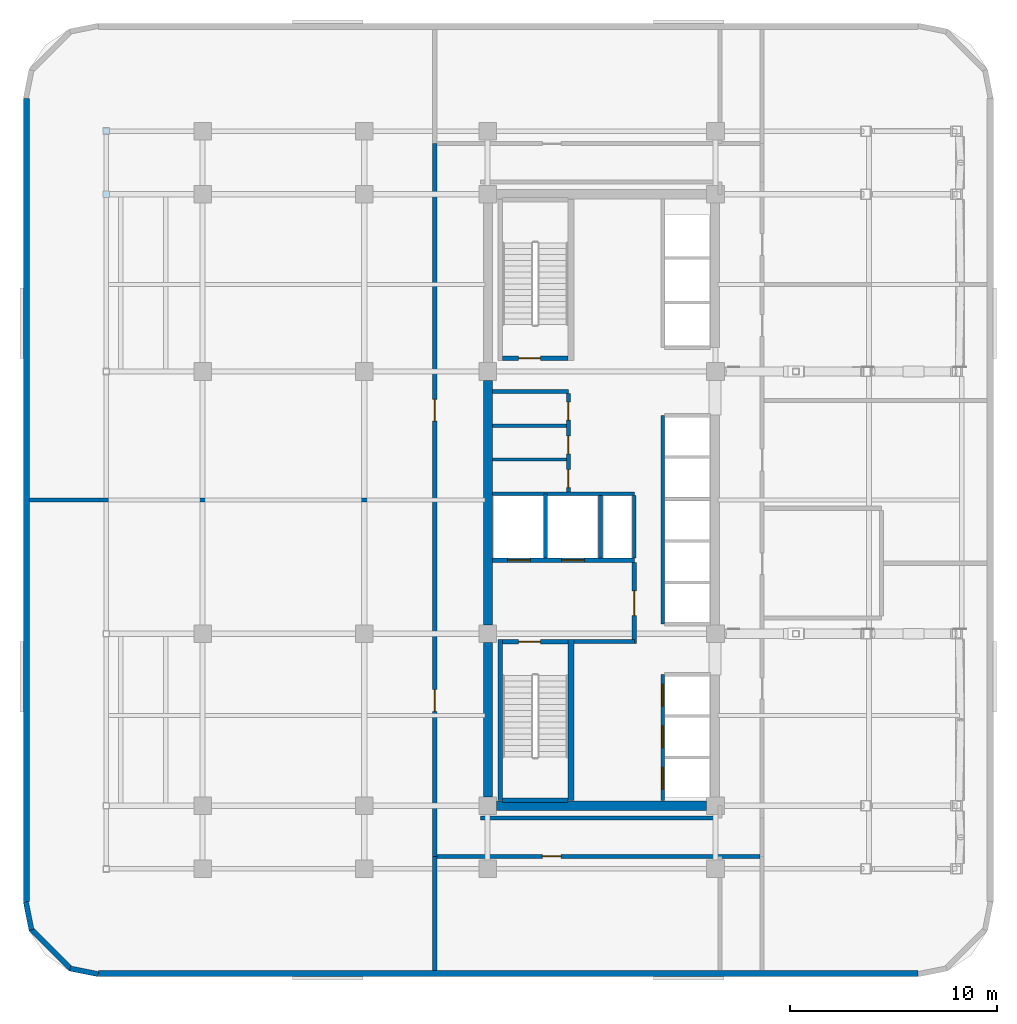
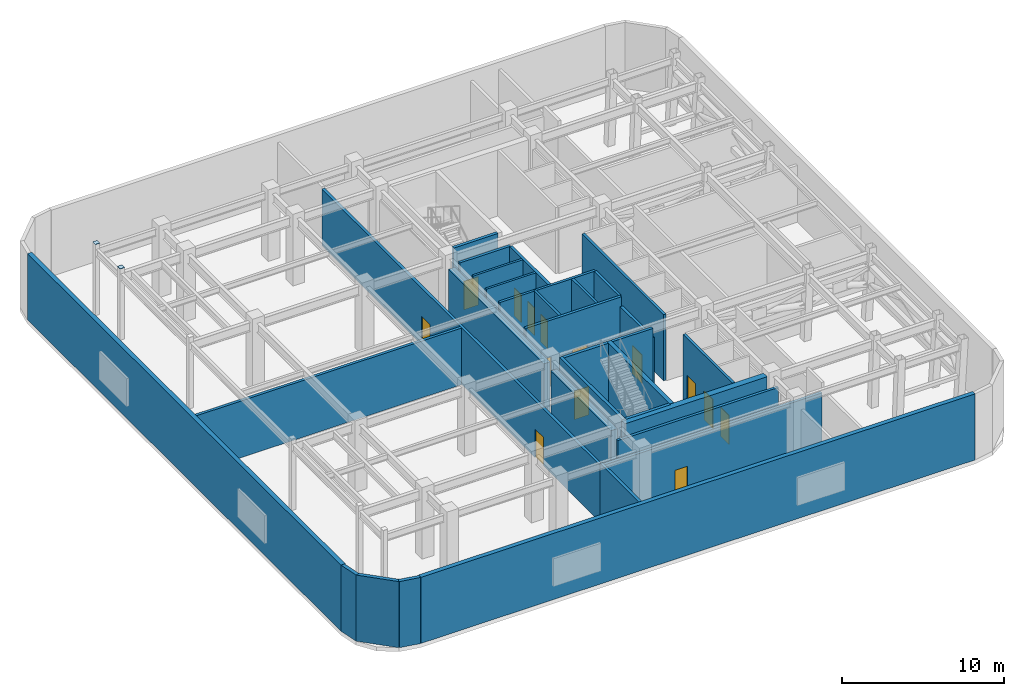
# One storey, part 8 of 14: 31 walls, 14 doors, 2 plates, 14 openings.
"""IFC4 building model written with IfcOpenShell, lengths in metres."""

from ifc_helpers import new_model, si_unit, direction, frame, frame_2d, origin, origin_2d, place, context, subcontext, project, spatial, rectangle, extrude, material, layer, layer_set, type_object, element, fill, save


model = new_model("IFC4")

# Units and contexts
model_context = context("Model", 3, precision=1e-05, world=origin(), true_north=direction((0.0, 1.0)))
body_context = subcontext(model_context, "Body", "Model", "MODEL_VIEW")
ifc_project = project(units=[si_unit("LENGTHUNIT", "METRE"), si_unit("AREAUNIT", "SQUARE_METRE"), si_unit("VOLUMEUNIT", "CUBIC_METRE"), si_unit("PLANEANGLEUNIT", "RADIAN"), si_unit("MASSUNIT", "GRAM", prefix="KILO")], contexts=[model_context])

# Site, building, storey
site_placement = place(None, origin())
site = spatial("IfcSite", under=ifc_project, at=site_placement, CompositionType="ELEMENT")
building_placement = place(site_placement, origin())
building = spatial("IfcBuilding", under=site, at=building_placement, Name="Ochreholt Gables", CompositionType="ELEMENT")
storey_placement = place(building_placement, frame((0.0, 0.0, 71.39990234375)))
storey = spatial("IfcBuildingStorey", under=building, at=storey_placement, Name="L18", CompositionType="ELEMENT", Elevation=71.39990234375)

# Plates
ifc_material_1 = material(Name="Steel CSA G40.21 350W", Category="steel")
ifc_layer_1 = layer(ifc_material_1, 0.02490234375, Name="Steel CSA G40.21 350W")
ifc_layer_set_1 = layer_set([ifc_layer_1], Name="Steel CSA G40.21 350W")
plate_type = type_object("IfcPlateType", Name="PL-ECP", PredefinedType="USERDEFINED", material=ifc_layer_set_1)
for number, where, z_axis, x_axis, name in (
    (1, (5.800048828125, 38.75, 5.374755859375), (0.0, 0.0, 1.0), (1.0, 0.0, 0.0), "L18 Hollow Column Welded End Cap Plate WTY5"),
    (2, (5.800048828125, 41.800048828125, 5.374755859375), (0.0, 0.0, 1.0), (1.0, 0.0, 0.0), "L18 Hollow Column Welded End Cap Plate WTY6"),
):
    element("IfcPlate", number, at=place(storey_placement, frame(where, z_axis=z_axis, x_axis=x_axis)), inside=storey, type_object=plate_type, Name=name, ObjectType="END CAP PLATE", PredefinedType="USERDEFINED", context=body_context, shape_type="SweptSolid", body=[
        extrude(rectangle(XDim=0.320068359375, YDim=0.320068359375, at=origin_2d()), origin(), (0.0, 0.0, 1.0), 0.02490234375),
    ])

# Walls
ifc_material_2 = material(Name="Concrete 60 MPa", Category="concrete")
ifc_layer_2 = layer(ifc_material_2, 0.449951171875, Name="Concrete 60 MPa")
ifc_layer_set_2 = layer_set([ifc_layer_2], Name="Concrete 60 MPa")
wall_type_1 = type_object("IfcWallType", Name="WALL-CSW-450", PredefinedType="SHEAR", material=ifc_layer_set_2)
wall_1_placement = place(storey_placement, frame((24.22509765625, 9.675048828125, 0.0), z_axis=(0.0, 0.0, 1.0), x_axis=(0.0, 1.0, 0.0)))
element("IfcWall", 3, at=wall_1_placement, inside=storey, type_object=wall_type_1, Name="L18 Core West Shear Wall WS", PredefinedType="SHEAR", context=body_context, shape_type="SweptSolid", body=[
    extrude(rectangle(XDim=7.449951171875, YDim=0.449951171875, at=frame_2d((3.72509765625, 0.0))), origin(), (0.0, 0.0, 1.0), 4.297119140625),
])
wall_2_placement = place(storey_placement, frame((24.22509765625, 17.97509765625, 0.0), z_axis=(0.0, 0.0, 1.0), x_axis=(0.0, 1.0, 0.0)))
element("IfcWall", 4, at=wall_2_placement, inside=storey, type_object=wall_type_1, Name="L18 Core West Shear Wall WM", PredefinedType="SHEAR", context=body_context, shape_type="SweptSolid", body=[
    extrude(rectangle(XDim=11.7998046875, YDim=0.449951171875, at=frame_2d((5.89990234375, 0.0))), origin(), (0.0, 0.0, 1.0), 4.297119140625),
])
wall_3_placement = place(storey_placement, frame((24.625, 9.25, 0.0), z_axis=(0.0, 0.0, 1.0), x_axis=(1.0, 0.0, 0.0)))
element("IfcWall", 5, at=wall_3_placement, inside=storey, type_object=wall_type_1, Name="L18 Core South Shear Wall", PredefinedType="SHEAR", context=body_context, shape_type="SweptSolid", body=[
    extrude(rectangle(XDim=10.14990234375, YDim=0.449951171875, at=frame_2d((5.074951171875, 0.0))), origin(), (0.0, 0.0, 1.0), 4.989990234375),
])
ifc_material_3 = material(Name="Precast concrete 40 MPa", Category="concrete")
ifc_layer_3 = layer(ifc_material_3, 0.25, Name="Precast concrete 40 MPa")
ifc_layer_set_3 = layer_set([ifc_layer_3], Name="Precast concrete 40 MPa")
wall_type_2 = type_object("IfcWallType", Name="WALL-EXT-CNR", PredefinedType="SOLIDWALL", material=ifc_layer_set_3)
wall_4_placement = place(storey_placement, frame((1.92431640625, 4.616455078125, 0.0), z_axis=(0.0, 0.0, 1.0), x_axis=(0.19496651342, -0.980809899341, 0.0)))
element("IfcWall", 6, at=wall_4_placement, inside=storey, type_object=wall_type_2, Name="L18 Rounded Corner Wall SW-1", PredefinedType="SOLIDWALL", context=body_context, shape_type="SweptSolid", body=[
    extrude(rectangle(XDim=1.388671875, YDim=0.25, at=frame_2d((0.6943359375, 0.0))), origin(), (0.0, 0.0, 1.0), 4.989990234375),
])
wall_5_placement = place(storey_placement, frame((2.16796875, 3.304931640625, 0.0), z_axis=(0.0, 0.0, 1.0), x_axis=(0.707106781187, -0.707106781187, 0.0)))
element("IfcWall", 7, at=wall_5_placement, inside=storey, type_object=wall_type_2, Name="L18 Rounded Corner Wall SW-2", PredefinedType="SOLIDWALL", context=body_context, shape_type="SweptSolid", body=[
    extrude(rectangle(XDim=2.7392578125, YDim=0.25, at=frame_2d((1.36962890625, 0.0))), origin(), (0.0, 0.0, 1.0), 4.989990234375),
])
wall_6_placement = place(storey_placement, frame((4.054443359375, 1.39501953125, 0.0), z_axis=(0.0, 0.0, 1.0), x_axis=(0.980809899341, -0.19496651342, 0.0)))
element("IfcWall", 8, at=wall_6_placement, inside=storey, type_object=wall_type_2, Name="L18 Rounded Corner Wall SW-3", PredefinedType="SOLIDWALL", context=body_context, shape_type="SweptSolid", body=[
    extrude(rectangle(XDim=1.388671875, YDim=0.25, at=frame_2d((0.6943359375, 0.0))), origin(), (0.0, 0.0, 1.0), 4.989990234375),
])
ifc_material_4 = material(Name="Precast concrete 50 MPa", Category="concrete")
ifc_layer_4 = layer(ifc_material_4, 0.31005859375, Name="Precast concrete 50 MPa")
ifc_layer_set_4 = layer_set([ifc_layer_4], Name="Precast concrete 50 MPa")
wall_type_3 = type_object("IfcWallType", Name="WALL-EXT-PLT", PredefinedType="SOLIDWALL", material=ifc_layer_set_4)
wall_7_placement = place(storey_placement, frame((5.419921875, 1.155029296875, 0.0), z_axis=(0.0, 0.0, 1.0), x_axis=(1.0, 0.0, 0.0)))
element("IfcWall", 9, at=wall_7_placement, inside=storey, type_object=wall_type_3, Name="L18 South Plant Facade Wall", PredefinedType="SOLIDWALL", context=body_context, shape_type="SweptSolid", body=[
    extrude(rectangle(XDim=39.56005859375, YDim=0.31005859375, at=frame_2d((19.780029296875, 0.0))), origin(), (0.0, 0.0, 1.0), 4.989990234375),
])
wall_8_placement = place(storey_placement, frame((1.955078125, 43.3798828125, 0.0), z_axis=(0.0, 0.0, 1.0), x_axis=(0.0, -1.0, 0.0)))
element("IfcWall", 10, at=wall_8_placement, inside=storey, type_object=wall_type_3, Name="L18 West Plant Facade Wall", PredefinedType="SOLIDWALL", context=body_context, shape_type="SweptSolid", body=[
    extrude(rectangle(XDim=38.759765625, YDim=0.31005859375, at=frame_2d((19.3798828125, 0.0))), origin(), (0.0, 0.0, 1.0), 4.989990234375),
])

# Wall, openings, doors
ifc_material_5 = material(Name="Concrete 40 MPa", Category="concrete")
ifc_layer_5 = layer(ifc_material_5, 0.199951171875, Name="Concrete 40 MPa")
ifc_layer_set_5 = layer_set([ifc_layer_5], Name="Concrete 40 MPa")
wall_type_4 = type_object("IfcWallType", Name="WALL-INT-CF200", PredefinedType="STANDARD", material=ifc_layer_set_5)
wall_9_placement = place(storey_placement, frame((24.449951171875, 21.090087890625, 0.0), z_axis=(0.0, 0.0, 1.0), x_axis=(1.0, 0.0, 0.0)))
wall_9 = element("IfcWall", 11, at=wall_9_placement, inside=storey, type_object=wall_type_4, Name="L18 Interior Wall WI-FFN-L18", PredefinedType="STANDARD", context=body_context, shape_type="SweptSolid", body=[
    extrude(rectangle(XDim=6.830078125, YDim=0.199951171875, at=frame_2d((3.4150390625, 0.0))), origin(), (0.0, 0.0, 1.0), 4.989990234375),
])
opening_1_placement = place(wall_9_placement, frame((0.719970703125, 0.0, 0.0)))
opening_1 = element("IfcOpeningElement", 12, at=opening_1_placement, cuts=wall_9, Name="Opening LD-FF", PredefinedType="OPENING", context=body_context, shape_type="SweptSolid", body=[
    extrude(rectangle(XDim=1.10009765625, YDim=2.199951171875, at=frame_2d((0.550048828125, 1.10009765625))), frame((0.0, 0.10986328125, 0.0), z_axis=(0.0, -1.0, 0.0), x_axis=(1.0, 0.0, 0.0)), (0.0, 0.0, 1.0), 0.219970703125),
])
opening_2_placement = place(wall_9_placement, frame((3.320068359375, 0.0, 0.0)))
opening_2 = element("IfcOpeningElement", 13, at=opening_2_placement, cuts=wall_9, Name="Opening LD-FF", PredefinedType="OPENING", context=body_context, shape_type="SweptSolid", body=[
    extrude(rectangle(XDim=1.10009765625, YDim=2.199951171875, at=frame_2d((0.550048828125, 1.10009765625))), frame((0.0, 0.10986328125, 0.0), z_axis=(0.0, -1.0, 0.0), x_axis=(1.0, 0.0, 0.0)), (0.0, 0.0, 1.0), 0.219970703125),
])
ifc_material_6 = material(Name="Stainless Steel", Category="steel")
door_type_1 = type_object("IfcDoorType", Name="DR-LFT-FF1100", OperationType="NOTDEFINED", PredefinedType="DOOR", material=ifc_material_6)
door_1_placement = place(opening_1_placement, origin())
door_1 = element("IfcDoor", 14, at=door_1_placement, inside=storey, type_object=door_type_1, Name="L18 Door LD-FF1-L18", OperationType="SLIDING_TO_LEFT", OverallHeight=2.199951171875, OverallWidth=1.10009765625, PredefinedType="DOOR", context=body_context, shape_type="SweptSolid", body=[
    extrude(rectangle(XDim=1.10009765625, YDim=2.199951171875, at=frame_2d((0.550048828125, 1.10009765625))), frame((0.0, 0.02490234375, 0.0), z_axis=(0.0, -1.0, 0.0), x_axis=(1.0, 0.0, 0.0)), (0.0, 0.0, 1.0), 0.050048828125),
])
fill(opening_1, door_1)
door_2_placement = place(opening_2_placement, origin())
door_2 = element("IfcDoor", 15, at=door_2_placement, inside=storey, type_object=door_type_1, Name="L18 Door LD-FF2-L18", OperationType="SLIDING_TO_LEFT", OverallHeight=2.199951171875, OverallWidth=1.10009765625, PredefinedType="DOOR", context=body_context, shape_type="SweptSolid", body=[
    extrude(rectangle(XDim=1.10009765625, YDim=2.199951171875, at=frame_2d((0.550048828125, 1.10009765625))), frame((0.0, 0.02490234375, 0.0), z_axis=(0.0, -1.0, 0.0), x_axis=(1.0, 0.0, 0.0)), (0.0, 0.0, 1.0), 0.050048828125),
])
fill(opening_2, door_2)

# Wall
wall_10_placement = place(storey_placement, frame((28.3798828125, 17.169921875, 0.0), z_axis=(0.0, 0.0, 1.0), x_axis=(1.0, 0.0, 0.0)))
element("IfcWall", 16, at=wall_10_placement, inside=storey, type_object=wall_type_4, Name="L18 Interior Wall WI-FFS-L18", PredefinedType="STANDARD", context=body_context, shape_type="SweptSolid", body=[
    extrude(rectangle(XDim=2.900146484375, YDim=0.199951171875, at=frame_2d((1.4501953125, 0.0))), origin(), (0.0, 0.0, 1.0), 4.989990234375),
])

# Wall, opening, door
wall_11_placement = place(storey_placement, frame((31.280029296875, 17.070068359375, 0.0), z_axis=(0.0, 0.0, 1.0), x_axis=(0.0, 1.0, 0.0)))
wall_11 = element("IfcWall", 17, at=wall_11_placement, inside=storey, type_object=wall_type_4, Name="L18 Interior Wall WI-FFE-L18", PredefinedType="STANDARD", context=body_context, shape_type="SweptSolid", body=[
    extrude(rectangle(XDim=3.919921875, YDim=0.199951171875, at=frame_2d((1.9599609375, 0.0))), origin(), (0.0, 0.0, 1.0), 4.279052734375),
])
opening_3_placement = place(wall_11_placement, frame((1.35009765625, 0.0, 0.0)))
opening_3 = element("IfcOpeningElement", 18, at=opening_3_placement, cuts=wall_11, Name="Opening D-FFL", PredefinedType="OPENING", context=body_context, shape_type="SweptSolid", body=[
    extrude(rectangle(XDim=1.199951171875, YDim=2.14990234375, at=frame_2d((0.60009765625, 1.074951171875))), frame((0.0, 0.10986328125, 0.0), z_axis=(0.0, -1.0, 0.0), x_axis=(1.0, 0.0, 0.0)), (0.0, 0.0, 1.0), 0.219970703125),
])
ifc_material_7 = material(Name="Hollow Metal Steel", Category="steel")
door_type_2 = type_object("IfcDoorType", Name="DR-INT-FFL1200", OperationType="NOTDEFINED", PredefinedType="DOOR", material=ifc_material_7)
door_3_placement = place(opening_3_placement, origin())
door_3 = element("IfcDoor", 19, at=door_3_placement, inside=storey, type_object=door_type_2, Name="L18 Door D-FFL-L18", OperationType="SINGLE_SWING_LEFT", OverallHeight=2.14990234375, OverallWidth=1.199951171875, PredefinedType="DOOR", context=body_context, shape_type="SweptSolid", body=[
    extrude(rectangle(XDim=1.199951171875, YDim=2.14990234375, at=frame_2d((0.60009765625, 1.074951171875))), frame((0.0, 0.02490234375, 0.0), z_axis=(0.0, -1.0, 0.0), x_axis=(1.0, 0.0, 0.0)), (0.0, 0.0, 1.0), 0.050048828125),
])
fill(opening_3, door_3)

# Wall
wall_12_placement = place(storey_placement, frame((24.449951171875, 29.239990234375, 0.0), z_axis=(0.0, 0.0, 1.0), x_axis=(1.0, 0.0, 0.0)))
element("IfcWall", 20, at=wall_12_placement, inside=storey, type_object=wall_type_4, Name="L18 Interior Wall WI-SRVN-L18", PredefinedType="STANDARD", context=body_context, shape_type="SweptSolid", body=[
    extrude(rectangle(XDim=3.650146484375, YDim=0.199951171875, at=frame_2d((1.8251953125, 0.0))), origin(), (0.0, 0.0, 1.0), 4.989990234375),
])

# Wall, openings, doors
wall_13_placement = place(storey_placement, frame((28.10009765625, 24.389892578125, 0.0), z_axis=(0.0, 0.0, 1.0), x_axis=(0.0, 1.0, 0.0)))
wall_13 = element("IfcWall", 21, at=wall_13_placement, inside=storey, type_object=wall_type_4, Name="L18 Interior Wall WI-SRVE-L18", PredefinedType="STANDARD", context=body_context, shape_type="SweptSolid", body=[
    extrude(rectangle(XDim=4.75, YDim=0.199951171875, at=frame_2d((2.375, 0.0))), origin(), (0.0, 0.0, 1.0), 4.989990234375),
])
opening_4_placement = place(wall_13_placement, frame((0.2099609375, 0.0, 0.0)))
opening_4 = element("IfcOpeningElement", 22, at=opening_4_placement, cuts=wall_13, Name="Opening D-SV2", PredefinedType="OPENING", context=body_context, shape_type="SweptSolid", body=[
    extrude(rectangle(XDim=0.860107421875, YDim=2.10009765625, at=frame_2d((0.43017578125, 1.050048828125))), frame((0.0, 0.10986328125, 0.0), z_axis=(0.0, -1.0, 0.0), x_axis=(1.0, 0.0, 0.0)), (0.0, 0.0, 1.0), 0.219970703125),
])
opening_5_placement = place(wall_13_placement, frame((1.830078125, 0.0, 0.0)))
opening_5 = element("IfcOpeningElement", 23, at=opening_5_placement, cuts=wall_13, Name="Opening D-SV2", PredefinedType="OPENING", context=body_context, shape_type="SweptSolid", body=[
    extrude(rectangle(XDim=0.860107421875, YDim=2.10009765625, at=frame_2d((0.43017578125, 1.050048828125))), frame((0.0, 0.10986328125, 0.0), z_axis=(0.0, -1.0, 0.0), x_axis=(1.0, 0.0, 0.0)), (0.0, 0.0, 1.0), 0.219970703125),
])
opening_6_placement = place(wall_13_placement, frame((3.469970703125, 0.0, 0.0)))
opening_6 = element("IfcOpeningElement", 24, at=opening_6_placement, cuts=wall_13, Name="Opening D-SV2", PredefinedType="OPENING", context=body_context, shape_type="SweptSolid", body=[
    extrude(rectangle(XDim=0.860107421875, YDim=2.10009765625, at=frame_2d((0.43017578125, 1.050048828125))), frame((0.0, 0.10986328125, 0.0), z_axis=(0.0, -1.0, 0.0), x_axis=(1.0, 0.0, 0.0)), (0.0, 0.0, 1.0), 0.219970703125),
])
door_type_3 = type_object("IfcDoorType", Name="DR-INT-SRV860", OperationType="NOTDEFINED", PredefinedType="DOOR", material=ifc_material_7)
door_4_placement = place(opening_4_placement, origin())
door_4 = element("IfcDoor", 25, at=door_4_placement, inside=storey, type_object=door_type_3, Name="L18 Door D-SRV1-L18", OperationType="SINGLE_SWING_LEFT", OverallHeight=2.10009765625, OverallWidth=0.860107421875, PredefinedType="DOOR", context=body_context, shape_type="SweptSolid", body=[
    extrude(rectangle(XDim=0.860107421875, YDim=2.10009765625, at=frame_2d((0.43017578125, 1.050048828125))), frame((0.0, 0.02490234375, 0.0), z_axis=(0.0, -1.0, 0.0), x_axis=(1.0, 0.0, 0.0)), (0.0, 0.0, 1.0), 0.050048828125),
])
fill(opening_4, door_4)
door_5_placement = place(opening_5_placement, origin())
door_5 = element("IfcDoor", 26, at=door_5_placement, inside=storey, type_object=door_type_3, Name="L18 Door D-SRV2-L18", OperationType="SINGLE_SWING_RIGHT", OverallHeight=2.10009765625, OverallWidth=0.860107421875, PredefinedType="DOOR", context=body_context, shape_type="SweptSolid", body=[
    extrude(rectangle(XDim=0.860107421875, YDim=2.10009765625, at=frame_2d((0.43017578125, 1.050048828125))), frame((0.0, 0.02490234375, 0.0), z_axis=(0.0, -1.0, 0.0), x_axis=(1.0, 0.0, 0.0)), (0.0, 0.0, 1.0), 0.050048828125),
])
fill(opening_5, door_5)
door_6_placement = place(opening_6_placement, origin())
door_6 = element("IfcDoor", 27, at=door_6_placement, inside=storey, type_object=door_type_3, Name="L18 Door D-SRV3-L18", OperationType="SINGLE_SWING_LEFT", OverallHeight=2.10009765625, OverallWidth=0.860107421875, PredefinedType="DOOR", context=body_context, shape_type="SweptSolid", body=[
    extrude(rectangle(XDim=0.860107421875, YDim=2.10009765625, at=frame_2d((0.43017578125, 1.050048828125))), frame((0.0, 0.02490234375, 0.0), z_axis=(0.0, -1.0, 0.0), x_axis=(1.0, 0.0, 0.0)), (0.0, 0.0, 1.0), 0.050048828125),
])
fill(opening_6, door_6)

wall_14_placement = place(storey_placement, frame((21.64990234375, 6.800048828125, 0.0), z_axis=(0.0, 0.0, 1.0), x_axis=(0.0, 1.0, 0.0)))
wall_14 = element("IfcWall", 28, at=wall_14_placement, inside=storey, type_object=wall_type_4, Name="L18 Interior Wall WI-PLCW-L18", PredefinedType="STANDARD", context=body_context, shape_type="SweptSolid", body=[
    extrude(rectangle(XDim=34.39990234375, YDim=0.199951171875, at=frame_2d((17.199951171875, 0.0))), origin(), (0.0, 0.0, 1.0), 4.279052734375),
])
opening_7_placement = place(wall_14_placement, frame((7.0, 0.0, 0.0)))
opening_7 = element("IfcOpeningElement", 29, at=opening_7_placement, cuts=wall_14, Name="Opening D-SV4", PredefinedType="OPENING", context=body_context, shape_type="SweptSolid", body=[
    extrude(rectangle(XDim=1.050048828125, YDim=2.14990234375, at=frame_2d((0.52490234375, 1.074951171875))), frame((0.0, 0.10986328125, 0.0), z_axis=(0.0, -1.0, 0.0), x_axis=(1.0, 0.0, 0.0)), (0.0, 0.0, 1.0), 0.219970703125),
])
opening_8_placement = place(wall_14_placement, frame((21.0, 0.0, 0.0)))
opening_8 = element("IfcOpeningElement", 30, at=opening_8_placement, cuts=wall_14, Name="Opening D-SV4", PredefinedType="OPENING", context=body_context, shape_type="SweptSolid", body=[
    extrude(rectangle(XDim=1.050048828125, YDim=2.14990234375, at=frame_2d((0.52490234375, 1.074951171875))), frame((0.0, 0.10986328125, 0.0), z_axis=(0.0, -1.0, 0.0), x_axis=(1.0, 0.0, 0.0)), (0.0, 0.0, 1.0), 0.219970703125),
])
door_type_4 = type_object("IfcDoorType", Name="DR-INT-SRV1050", OperationType="NOTDEFINED", PredefinedType="DOOR", material=ifc_material_7)
door_7_placement = place(opening_7_placement, origin())
door_7 = element("IfcDoor", 31, at=door_7_placement, inside=storey, type_object=door_type_4, Name="L18 Door D-PLW1-L18", OperationType="SINGLE_SWING_LEFT", OverallHeight=2.14990234375, OverallWidth=1.050048828125, PredefinedType="DOOR", context=body_context, shape_type="SweptSolid", body=[
    extrude(rectangle(XDim=1.050048828125, YDim=2.14990234375, at=frame_2d((0.52490234375, 1.074951171875))), frame((0.0, 0.02490234375, 0.0), z_axis=(0.0, -1.0, 0.0), x_axis=(1.0, 0.0, 0.0)), (0.0, 0.0, 1.0), 0.050048828125),
])
fill(opening_7, door_7)
door_8_placement = place(opening_8_placement, origin())
door_8 = element("IfcDoor", 32, at=door_8_placement, inside=storey, type_object=door_type_4, Name="L18 Door D-PLW2-L18", OperationType="SINGLE_SWING_RIGHT", OverallHeight=2.14990234375, OverallWidth=1.050048828125, PredefinedType="DOOR", context=body_context, shape_type="SweptSolid", body=[
    extrude(rectangle(XDim=1.050048828125, YDim=2.14990234375, at=frame_2d((0.52490234375, 1.074951171875))), frame((0.0, 0.02490234375, 0.0), z_axis=(0.0, -1.0, 0.0), x_axis=(1.0, 0.0, 0.0)), (0.0, 0.0, 1.0), 0.050048828125),
])
fill(opening_8, door_8)

# Wall, opening, door
wall_15_placement = place(storey_placement, frame((21.75, 6.800048828125, 0.0), z_axis=(0.0, 0.0, 1.0), x_axis=(1.0, 0.0, 0.0)))
wall_15 = element("IfcWall", 33, at=wall_15_placement, inside=storey, type_object=wall_type_4, Name="L18 Interior Wall WI-PLCS-L18", PredefinedType="STANDARD", context=body_context, shape_type="SweptSolid", body=[
    extrude(rectangle(XDim=15.60009765625, YDim=0.199951171875, at=frame_2d((7.800048828125, 0.0))), origin(), (0.0, 0.0, 1.0), 4.279052734375),
])
opening_9_placement = place(wall_15_placement, frame((5.10009765625, 0.0, 0.0)))
opening_9 = element("IfcOpeningElement", 34, at=opening_9_placement, cuts=wall_15, Name="Opening D-SV1", PredefinedType="OPENING", context=body_context, shape_type="SweptSolid", body=[
    extrude(rectangle(XDim=0.89990234375, YDim=2.10009765625, at=frame_2d((0.449951171875, 1.050048828125))), frame((0.0, 0.10986328125, 0.0), z_axis=(0.0, -1.0, 0.0), x_axis=(1.0, 0.0, 0.0)), (0.0, 0.0, 1.0), 0.219970703125),
])
door_type_5 = type_object("IfcDoorType", Name="DR-INT-SRV900", OperationType="NOTDEFINED", PredefinedType="DOOR", material=ifc_material_7)
door_9_placement = place(opening_9_placement, origin())
door_9 = element("IfcDoor", 35, at=door_9_placement, inside=storey, type_object=door_type_5, Name="L18 Door D-PLS0-L18", OperationType="SINGLE_SWING_LEFT", OverallHeight=2.10009765625, OverallWidth=0.89990234375, PredefinedType="DOOR", context=body_context, shape_type="SweptSolid", body=[
    extrude(rectangle(XDim=0.89990234375, YDim=2.10009765625, at=frame_2d((0.449951171875, 1.050048828125))), frame((0.0, 0.02490234375, 0.0), z_axis=(0.0, -1.0, 0.0), x_axis=(1.0, 0.0, 0.0)), (0.0, 0.0, 1.0), 0.050048828125),
])
fill(opening_9, door_9)

# Walls
wall_16_placement = place(storey_placement, frame((23.85009765625, 8.64990234375, 0.0), z_axis=(0.0, 0.0, 1.0), x_axis=(1.0, 0.0, 0.0)))
element("IfcWall", 36, at=wall_16_placement, inside=storey, type_object=wall_type_4, Name="L18 Interior Wall WI-PLCS2-L18", PredefinedType="STANDARD", context=body_context, shape_type="SweptSolid", body=[
    extrude(rectangle(XDim=11.469970703125, YDim=0.199951171875, at=frame_2d((5.73486328125, 0.0))), origin(), (0.0, 0.0, 1.0), 4.279052734375),
])
wall_17_placement = place(storey_placement, frame((21.64990234375, 1.31005859375, 0.0), z_axis=(0.0, 0.0, 1.0), x_axis=(0.0, 1.0, 0.0)))
element("IfcWall", 37, at=wall_17_placement, inside=storey, type_object=wall_type_4, Name="L18 Interior Wall WI-PLCWS-L18", PredefinedType="STANDARD", context=body_context, shape_type="SweptSolid", body=[
    extrude(rectangle(XDim=5.489990234375, YDim=0.199951171875, at=frame_2d((2.7451171875, 0.0))), origin(), (0.0, 0.0, 1.0), 4.439208984375),
])
wall_18_placement = place(storey_placement, frame((2.110107421875, 24.0, 0.0), z_axis=(0.0, 0.0, 1.0), x_axis=(1.0, 0.0, 0.0)))
element("IfcWall", 38, at=wall_18_placement, inside=storey, type_object=wall_type_4, Name="L18 Interior Wall WI-PLWM-L18", PredefinedType="STANDARD", context=body_context, shape_type="SweptSolid", body=[
    extrude(rectangle(XDim=19.43994140625, YDim=0.199951171875, at=frame_2d((9.719970703125, 0.0))), origin(), (0.0, 0.0, 1.0), 4.279052734375),
])
ifc_material_8 = material(Name="Gypsum Acoustic Stud Partition", Category="gypsum")
ifc_layer_6 = layer(ifc_material_8, 0.159912109375, Name="Gypsum Acoustic Stud Partition")
ifc_layer_set_6 = layer_set([ifc_layer_6], Name="Gypsum Acoustic Stud Partition")
wall_type_5 = type_object("IfcWallType", Name="WALL-INT-PT160", PredefinedType="PARTITIONING", material=ifc_layer_set_6)
for number, where, z_axis, x_axis, name in (
    (39, (24.449951171875, 25.949951171875, 0.0), (0.0, 0.0, 1.0), (1.0, 0.0, 0.0), "L18 Interior Wall WI-SRVP1-L18"),
    (40, (24.449951171875, 27.580078125, 0.0), (0.0, 0.0, 1.0), (1.0, 0.0, 0.0), "L18 Interior Wall WI-SRVP2-L18"),
):
    element("IfcWall", number, at=place(storey_placement, frame(where, z_axis=z_axis, x_axis=x_axis)), inside=storey, type_object=wall_type_5, Name=name, PredefinedType="PARTITIONING", context=body_context, shape_type="SweptSolid", body=[
        extrude(rectangle(XDim=3.550048828125, YDim=0.159912109375, at=frame_2d((1.77490234375, 0.0))), origin(), (0.0, 0.0, 1.0), 4.989990234375),
    ])
ifc_material_9 = material(Name="Gypsum Shaftliner and Steel Stud", Category="steel")
ifc_layer_7 = layer(ifc_material_9, 0.179931640625, Name="Gypsum Shaftliner and Steel Stud")
ifc_layer_set_7 = layer_set([ifc_layer_7], Name="Gypsum Shaftliner and Steel Stud")
wall_type_6 = type_object("IfcWallType", Name="WALL-INT-SH180", PredefinedType="STANDARD", material=ifc_layer_set_7)
wall_19_placement = place(storey_placement, frame((27.0, 21.18994140625, 0.0), z_axis=(0.0, 0.0, 1.0), x_axis=(0.0, 1.0, 0.0)))
element("IfcWall", 41, at=wall_19_placement, inside=storey, type_object=wall_type_6, Name="L18 Interior Wall WI-FFDIV-L18", PredefinedType="STANDARD", context=body_context, shape_type="SweptSolid", body=[
    extrude(rectangle(XDim=3.110107421875, YDim=0.179931640625, at=frame_2d((1.55517578125, 0.0))), origin(), (0.0, 0.0, 1.0), 4.989990234375),
])
wall_20_placement = place(storey_placement, frame((24.449951171875, 24.300048828125, 0.0), z_axis=(0.0, 0.0, 1.0), x_axis=(1.0, 0.0, 0.0)))
element("IfcWall", 42, at=wall_20_placement, inside=storey, type_object=wall_type_6, Name="L18 Interior Wall WI-FFBK-L18", PredefinedType="STANDARD", context=body_context, shape_type="SweptSolid", body=[
    extrude(rectangle(XDim=6.830078125, YDim=0.179931640625, at=frame_2d((3.4150390625, 0.0))), origin(), (0.0, 0.0, 1.0), 4.989990234375),
])
for number, where, z_axis, x_axis, name in (
    (43, (29.64990234375, 21.18994140625, 0.0), (0.0, 0.0, 1.0), (0.0, 1.0, 0.0), "L18 Interior Wall WI-FFSH-L18"),
    (44, (31.280029296875, 21.18994140625, 0.0), (0.0, 0.0, 1.0), (0.0, 1.0, 0.0), "L18 Interior Wall WI-RSE-L18"),
):
    element("IfcWall", number, at=place(storey_placement, frame(where, z_axis=z_axis, x_axis=x_axis)), inside=storey, type_object=wall_type_6, Name=name, PredefinedType="STANDARD", context=body_context, shape_type="SweptSolid", body=[
        extrude(rectangle(XDim=3.02001953125, YDim=0.179931640625, at=frame_2d((1.510009765625, 0.0))), origin(), (0.0, 0.0, 1.0), 4.989990234375),
    ])

# Wall, openings, doors
wall_21_placement = place(storey_placement, frame((32.64990234375, 9.5, 0.0), z_axis=(0.0, 0.0, 1.0), x_axis=(0.0, 1.0, 0.0)))
wall_21 = element("IfcWall", 45, at=wall_21_placement, inside=storey, type_object=wall_type_6, Name="L18 Interior Wall WI-LFL-FR-L18", PredefinedType="STANDARD", context=body_context, shape_type="SweptSolid", body=[
    extrude(rectangle(XDim=6.080078125, YDim=0.179931640625, at=frame_2d((3.0400390625, 0.0))), origin(), (0.0, 0.0, 1.0), 4.989990234375),
])
opening_10_placement = place(wall_21_placement, frame((0.550048828125, 0.0, 0.0)))
opening_10 = element("IfcOpeningElement", 46, at=opening_10_placement, cuts=wall_21, Name="Opening LD-PX", PredefinedType="OPENING", context=body_context, shape_type="SweptSolid", body=[
    extrude(rectangle(XDim=1.050048828125, YDim=2.199951171875, at=frame_2d((0.52490234375, 1.10009765625))), frame((0.0, 0.099853515625, 0.0), z_axis=(0.0, -1.0, 0.0), x_axis=(1.0, 0.0, 0.0)), (0.0, 0.0, 1.0), 0.199951171875),
])
opening_11_placement = place(wall_21_placement, frame((2.550048828125, 0.0, 0.0)))
opening_11 = element("IfcOpeningElement", 47, at=opening_11_placement, cuts=wall_21, Name="Opening LD-PX", PredefinedType="OPENING", context=body_context, shape_type="SweptSolid", body=[
    extrude(rectangle(XDim=1.050048828125, YDim=2.199951171875, at=frame_2d((0.52490234375, 1.10009765625))), frame((0.0, 0.099853515625, 0.0), z_axis=(0.0, -1.0, 0.0), x_axis=(1.0, 0.0, 0.0)), (0.0, 0.0, 1.0), 0.199951171875),
])
opening_12_placement = place(wall_21_placement, frame((4.550048828125, 0.0, 0.0)))
opening_12 = element("IfcOpeningElement", 48, at=opening_12_placement, cuts=wall_21, Name="Opening LD-PX", PredefinedType="OPENING", context=body_context, shape_type="SweptSolid", body=[
    extrude(rectangle(XDim=1.050048828125, YDim=2.199951171875, at=frame_2d((0.52490234375, 1.10009765625))), frame((0.0, 0.099853515625, 0.0), z_axis=(0.0, -1.0, 0.0), x_axis=(1.0, 0.0, 0.0)), (0.0, 0.0, 1.0), 0.199951171875),
])
door_type_6 = type_object("IfcDoorType", Name="DR-LFT-PX1050", OperationType="NOTDEFINED", PredefinedType="DOOR", material=ifc_material_6)
door_10_placement = place(opening_10_placement, origin())
door_10 = element("IfcDoor", 49, at=door_10_placement, inside=storey, type_object=door_type_6, Name="L18 Door LD-L1-L18", OperationType="SLIDING_TO_LEFT", OverallHeight=2.199951171875, OverallWidth=1.050048828125, PredefinedType="DOOR", context=body_context, shape_type="SweptSolid", body=[
    extrude(rectangle(XDim=1.050048828125, YDim=2.199951171875, at=frame_2d((0.52490234375, 1.10009765625))), frame((0.0, 0.02490234375, 0.0), z_axis=(0.0, -1.0, 0.0), x_axis=(1.0, 0.0, 0.0)), (0.0, 0.0, 1.0), 0.050048828125),
])
fill(opening_10, door_10)
door_11_placement = place(opening_11_placement, origin())
door_11 = element("IfcDoor", 50, at=door_11_placement, inside=storey, type_object=door_type_6, Name="L18 Door LD-L2-L18", OperationType="SLIDING_TO_LEFT", OverallHeight=2.199951171875, OverallWidth=1.050048828125, PredefinedType="DOOR", context=body_context, shape_type="SweptSolid", body=[
    extrude(rectangle(XDim=1.050048828125, YDim=2.199951171875, at=frame_2d((0.52490234375, 1.10009765625))), frame((0.0, 0.02490234375, 0.0), z_axis=(0.0, -1.0, 0.0), x_axis=(1.0, 0.0, 0.0)), (0.0, 0.0, 1.0), 0.050048828125),
])
fill(opening_11, door_11)
door_12_placement = place(opening_12_placement, origin())
door_12 = element("IfcDoor", 51, at=door_12_placement, inside=storey, type_object=door_type_6, Name="L18 Door LD-L3-L18", OperationType="SLIDING_TO_LEFT", OverallHeight=2.199951171875, OverallWidth=1.050048828125, PredefinedType="DOOR", context=body_context, shape_type="SweptSolid", body=[
    extrude(rectangle(XDim=1.050048828125, YDim=2.199951171875, at=frame_2d((0.52490234375, 1.10009765625))), frame((0.0, 0.02490234375, 0.0), z_axis=(0.0, -1.0, 0.0), x_axis=(1.0, 0.0, 0.0)), (0.0, 0.0, 1.0), 0.050048828125),
])
fill(opening_12, door_12)

# Walls
wall_22_placement = place(storey_placement, frame((32.64990234375, 18.02001953125, 0.0), z_axis=(0.0, 0.0, 1.0), x_axis=(0.0, 1.0, 0.0)))
element("IfcWall", 52, at=wall_22_placement, inside=storey, type_object=wall_type_6, Name="L18 Interior Wall WI-LFHE-FR-L18", PredefinedType="STANDARD", context=body_context, shape_type="SweptSolid", body=[
    extrude(rectangle(XDim=10.06005859375, YDim=0.179931640625, at=frame_2d((5.030029296875, 0.0))), origin(), (0.0, 0.0, 1.0), 4.989990234375),
])
ifc_layer_8 = layer(ifc_material_2, 0.300048828125, Name="Concrete 60 MPa")
ifc_layer_set_8 = layer_set([ifc_layer_8], Name="Concrete 60 MPa")
wall_type_7 = type_object("IfcWallType", Name="WALL-SPN-300", PredefinedType="SHEAR", material=ifc_layer_set_8)
wall_23_placement = place(storey_placement, frame((28.22998046875, 9.5, 0.0), z_axis=(0.0, 0.0, 1.0), x_axis=(0.0, 1.0, 0.0)))
element("IfcWall", 53, at=wall_23_placement, inside=storey, type_object=wall_type_7, Name="L18 Core South Spine Shear Wall", PredefinedType="SHEAR", context=body_context, shape_type="SweptSolid", body=[
    extrude(rectangle(XDim=7.760009765625, YDim=0.300048828125, at=frame_2d((3.8798828125, 0.0))), origin(), (0.0, 0.0, 1.0), 4.989990234375),
])
ifc_material_10 = material(Name="Concrete 50 MPa", Category="concrete")
ifc_layer_9 = layer(ifc_material_10, 0.219970703125, Name="Concrete 50 MPa")
ifc_layer_set_9 = layer_set([ifc_layer_9], Name="Concrete 50 MPa")
wall_type_8 = type_object("IfcWallType", Name="WALL-STW-220", PredefinedType="SHEAR", material=ifc_layer_set_9)
wall_24_placement = place(storey_placement, frame((24.81005859375, 9.5, 0.0), z_axis=(0.0, 0.0, 1.0), x_axis=(0.0, 1.0, 0.0)))
element("IfcWall", 54, at=wall_24_placement, inside=storey, type_object=wall_type_8, Name="L18 Exit Stair 1 West Wall", PredefinedType="SHEAR", context=body_context, shape_type="SweptSolid", body=[
    extrude(rectangle(XDim=7.760009765625, YDim=0.219970703125, at=frame_2d((3.8798828125, 0.0))), origin(), (0.0, 0.0, 1.0), 4.989990234375),
])
wall_25_placement = place(storey_placement, frame((24.919921875, 9.510009765625, 0.0), z_axis=(0.0, 0.0, 1.0), x_axis=(1.0, 0.0, 0.0)))
element("IfcWall", 55, at=wall_25_placement, inside=storey, type_object=wall_type_8, Name="L18 Exit Stair 1 South Wall", PredefinedType="SHEAR", context=body_context, shape_type="SweptSolid", body=[
    extrude(rectangle(XDim=3.16015625, YDim=0.219970703125, at=frame_2d((1.580078125, 0.0))), origin(), (0.0, 0.0, 1.0), 4.989990234375),
])

# Wall, opening, door
wall_26_placement = place(storey_placement, frame((24.919921875, 17.169921875, 0.0), z_axis=(0.0, 0.0, 1.0), x_axis=(1.0, 0.0, 0.0)))
wall_26 = element("IfcWall", 56, at=wall_26_placement, inside=storey, type_object=wall_type_8, Name="L18 Exit Stair 1 North Wall", PredefinedType="SHEAR", context=body_context, shape_type="SweptSolid", body=[
    extrude(rectangle(XDim=3.16015625, YDim=0.219970703125, at=frame_2d((1.580078125, 0.0))), origin(), (0.0, 0.0, 1.0), 4.989990234375),
])
opening_13_placement = place(wall_26_placement, frame((0.780029296875, 0.0, 0.0)))
opening_13 = element("IfcOpeningElement", 57, at=opening_13_placement, cuts=wall_26, Name="Opening D-STC", PredefinedType="OPENING", context=body_context, shape_type="SweptSolid", body=[
    extrude(rectangle(XDim=1.050048828125, YDim=2.14990234375, at=frame_2d((0.52490234375, 1.074951171875))), frame((0.0, 0.119873046875, 0.0), z_axis=(0.0, -1.0, 0.0), x_axis=(1.0, 0.0, 0.0)), (0.0, 0.0, 1.0), 0.239990234375),
])
door_type_7 = type_object("IfcDoorType", Name="DR-INT-ST1050", OperationType="NOTDEFINED", PredefinedType="DOOR", material=ifc_material_7)
door_13_placement = place(opening_13_placement, frame((1.050048828125, 0.0, 0.0), z_axis=(0.0, 0.0, 1.0), x_axis=(-1.0, 0.0, 0.0)))
door_13 = element("IfcDoor", 58, at=door_13_placement, inside=storey, type_object=door_type_7, Name="L18 Door D-ST1-L18", OperationType="SINGLE_SWING_LEFT", OverallHeight=2.14990234375, OverallWidth=1.050048828125, PredefinedType="DOOR", context=body_context, shape_type="SweptSolid", body=[
    extrude(rectangle(XDim=1.050048828125, YDim=2.14990234375, at=frame_2d((0.52490234375, 1.074951171875))), frame((0.0, 0.02490234375, 0.0), z_axis=(0.0, -1.0, 0.0), x_axis=(1.0, 0.0, 0.0)), (0.0, 0.0, 1.0), 0.050048828125),
])
fill(opening_13, door_13)

wall_27_placement = place(storey_placement, frame((24.919921875, 30.830078125, 0.0), z_axis=(0.0, 0.0, 1.0), x_axis=(1.0, 0.0, 0.0)))
wall_27 = element("IfcWall", 59, at=wall_27_placement, inside=storey, type_object=wall_type_8, Name="L18 Exit Stair 2 South Wall", PredefinedType="SHEAR", context=body_context, shape_type="SweptSolid", body=[
    extrude(rectangle(XDim=3.16015625, YDim=0.219970703125, at=frame_2d((1.580078125, 0.0))), origin(), (0.0, 0.0, 1.0), 4.989990234375),
])
opening_14_placement = place(wall_27_placement, frame((0.780029296875, 0.0, 0.0)))
opening_14 = element("IfcOpeningElement", 60, at=opening_14_placement, cuts=wall_27, Name="Opening D-STC", PredefinedType="OPENING", context=body_context, shape_type="SweptSolid", body=[
    extrude(rectangle(XDim=1.050048828125, YDim=2.14990234375, at=frame_2d((0.52490234375, 1.074951171875))), frame((0.0, 0.119873046875, 0.0), z_axis=(0.0, -1.0, 0.0), x_axis=(1.0, 0.0, 0.0)), (0.0, 0.0, 1.0), 0.239990234375),
])
door_14_placement = place(opening_14_placement, origin())
door_14 = element("IfcDoor", 61, at=door_14_placement, inside=storey, type_object=door_type_7, Name="L18 Door D-ST2-L18", OperationType="SINGLE_SWING_RIGHT", OverallHeight=2.14990234375, OverallWidth=1.050048828125, PredefinedType="DOOR", context=body_context, shape_type="SweptSolid", body=[
    extrude(rectangle(XDim=1.050048828125, YDim=2.14990234375, at=frame_2d((0.52490234375, 1.074951171875))), frame((0.0, 0.02490234375, 0.0), z_axis=(0.0, -1.0, 0.0), x_axis=(1.0, 0.0, 0.0)), (0.0, 0.0, 1.0), 0.050048828125),
])
fill(opening_14, door_14)

save(model, "model.ifc")
